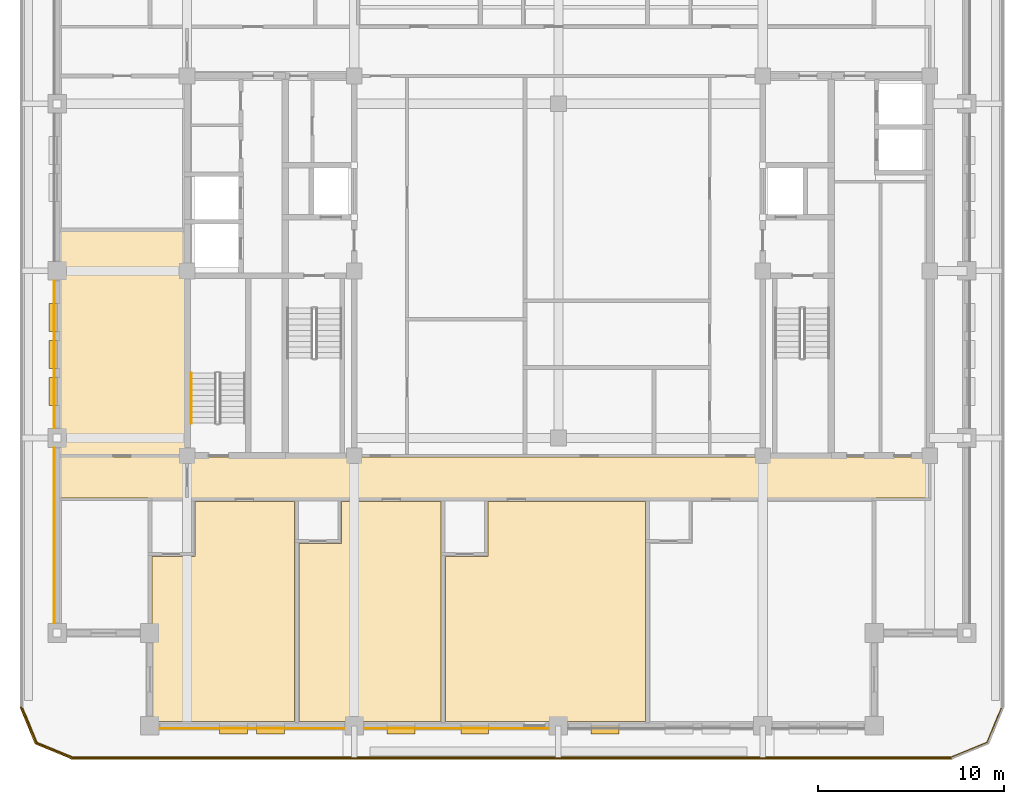
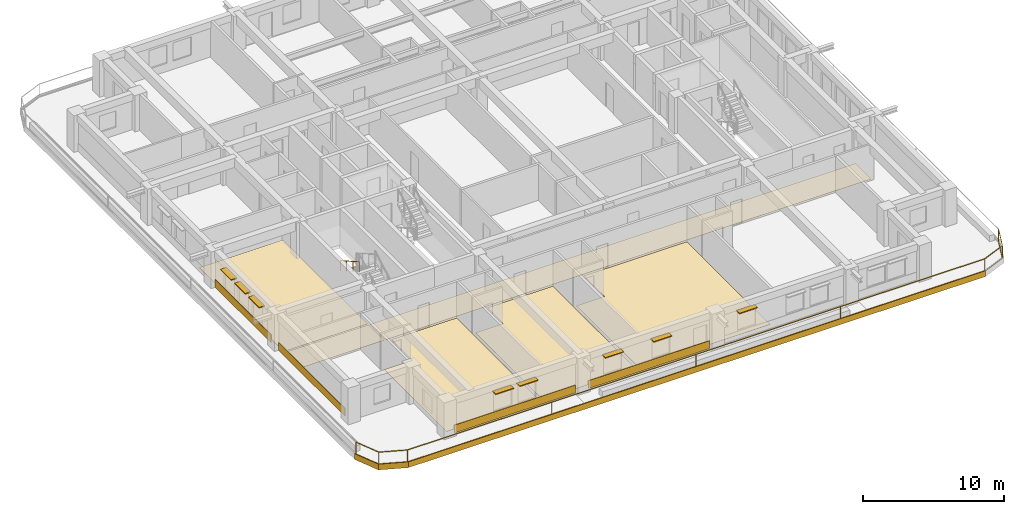
# One storey, part 8 of 14: 13 coverings, 8 shading devices, 2 railings.
"""IFC4 building model written with IfcOpenShell, lengths in metres."""

from ifc_helpers import new_model, si_unit, direction, frame, frame_2d, origin, origin_2d, place, context, subcontext, project, spatial, polyline, rectangle, outline, extrude, material, layer, layer_set, type_object, element, save


model = new_model("IFC4")

# Units and contexts
model_context = context("Model", 3, precision=1e-05, world=origin(), true_north=direction((0.0, 1.0)))
body_context = subcontext(model_context, "Body", "Model", "MODEL_VIEW")
ifc_project = project(units=[si_unit("LENGTHUNIT", "METRE"), si_unit("AREAUNIT", "SQUARE_METRE"), si_unit("VOLUMEUNIT", "CUBIC_METRE"), si_unit("PLANEANGLEUNIT", "RADIAN"), si_unit("MASSUNIT", "GRAM", prefix="KILO")], contexts=[model_context])

# Site, building, storey
site_placement = place(None, origin())
site = spatial("IfcSite", under=ifc_project, at=site_placement, CompositionType="ELEMENT")
building_placement = place(site_placement, origin())
building = spatial("IfcBuilding", under=site, at=building_placement, Name="Zulmaris Gate Convention Tower", CompositionType="ELEMENT")
storey_placement = place(building_placement, frame((0.0, 0.0, 211.85986328125)))
storey = spatial("IfcBuildingStorey", under=building, at=storey_placement, Name="L55", CompositionType="ELEMENT", Elevation=211.85986328125)

# Coverings
ifc_material_1 = material(Name="Precast concrete C40/50", Category="concrete")
ifc_layer_1 = layer(ifc_material_1, 0.0400390625, Name="Precast concrete C40/50")
ifc_layer_set_1 = layer_set([ifc_layer_1], Name="Precast concrete C40/50")
covering_type_1 = type_object("IfcCoveringType", Name="CLAD-SPANDREL-PRECAST", PredefinedType="CLADDING", material=ifc_layer_set_1)
for number, where, z_axis, x_axis, name in (
    (1, (-21.469970703125, -24.64990234375, 0.0), (0.0, 0.0, 1.0), (1.0, 0.0, 0.0), "CLD-L55-S-0_0"),
    (2, (-10.469970703125, -24.64990234375, 0.0), (0.0, 0.0, 1.0), (1.0, 0.0, 0.0), "CLD-L55-S-1_0"),
):
    element("IfcCovering", number, at=place(storey_placement, frame(where, z_axis=z_axis, x_axis=x_axis)), inside=storey, type_object=covering_type_1, Name=name, PredefinedType="CLADDING", context=body_context, shape_type="SweptSolid", body=[
        extrude(rectangle(XDim=9.93994140625, YDim=0.0400390625, at=frame_2d((4.969970703125, 0.0))), origin(), (0.0, 0.0, 1.0), 0.679931640625),
    ])
covering_1_placement = place(storey_placement, frame((-27.14990234375, -9.530029296875, 0.0), z_axis=(0.0, 0.0, 1.0), x_axis=(0.0, -1.0, 0.0)))
element("IfcCovering", 3, at=covering_1_placement, inside=storey, type_object=covering_type_1, Name="CLD-L55-W-0_0", PredefinedType="CLADDING", context=body_context, shape_type="SweptSolid", body=[
    extrude(rectangle(XDim=9.43994140625, YDim=0.0400390625, at=frame_2d((4.719970703125, 0.0))), origin(), (0.0, 0.0, 1.0), 0.679931640625),
])
covering_2_placement = place(storey_placement, frame((-27.14990234375, -0.530029296875, 0.0), z_axis=(0.0, 0.0, 1.0), x_axis=(0.0, -1.0, 0.0)))
element("IfcCovering", 4, at=covering_2_placement, inside=storey, type_object=covering_type_1, Name="CLD-L55-W-1_0", PredefinedType="CLADDING", context=body_context, shape_type="SweptSolid", body=[
    extrude(rectangle(XDim=7.93994140625, YDim=0.0400390625, at=frame_2d((3.969970703125, 0.0))), origin(), (0.0, 0.0, 1.0), 0.679931640625),
])
ifc_material_2 = material(Name="White Glazed Architectural Precast Concrete C40/50", Category="concrete")
ifc_layer_2 = layer(ifc_material_2, 0.080078125, Name="White Glazed Architectural Precast Concrete C40/50")
ifc_layer_set_2 = layer_set([ifc_layer_2], Name="White Glazed Architectural Precast Concrete C40/50")
covering_type_2 = type_object("IfcCoveringType", Name="CLAD-TRAY-FASCIA", PredefinedType="CLADDING", material=ifc_layer_set_2)
covering_3_placement = place(storey_placement, frame((-28.962890625, -23.484619140625, -0.364990234375), z_axis=(0.0, 0.0, 1.0), x_axis=(0.382656984709, -0.923890487046, 0.0)))
element("IfcCovering", 5, at=covering_3_placement, inside=storey, type_object=covering_type_2, Name="FSC-L55-TR-00", PredefinedType="CLADDING", context=body_context, shape_type="SweptSolid", body=[
    extrude(rectangle(XDim=2.14306640625, YDim=0.080078125, at=frame_2d((1.071533203125, 0.0))), origin(), (0.0, 0.0, 1.0), 0.5),
])
covering_4_placement = place(storey_placement, frame((-28.16455078125, -25.44287109375, -0.364990234375), z_axis=(0.0, 0.0, 1.0), x_axis=(0.923873803533, -0.382697263049, 0.0)))
element("IfcCovering", 6, at=covering_4_placement, inside=storey, type_object=covering_type_2, Name="FSC-L55-TR-01", PredefinedType="CLADDING", context=body_context, shape_type="SweptSolid", body=[
    extrude(rectangle(XDim=2.142822265625, YDim=0.080078125, at=frame_2d((1.0712890625, 0.0))), origin(), (0.0, 0.0, 1.0), 0.5),
])
covering_5_placement = place(storey_placement, frame((-26.199951171875, -26.260009765625, -0.364990234375), z_axis=(0.0, 0.0, 1.0), x_axis=(1.0, 0.0, 0.0)))
element("IfcCovering", 7, at=covering_5_placement, inside=storey, type_object=covering_type_2, Name="FSC-L55-TR-02", PredefinedType="CLADDING", context=body_context, shape_type="SweptSolid", body=[
    extrude(rectangle(XDim=47.39990234375, YDim=0.080078125, at=frame_2d((23.699951171875, 0.0))), origin(), (0.0, 0.0, 1.0), 0.5),
])
ifc_material_3 = material(Name="Woven Acoustic Wool Carpet Tile")
ifc_layer_3 = layer(ifc_material_3, 0.02001953125, Name="Woven Acoustic Wool Carpet Tile")
ifc_layer_set_3 = layer_set([ifc_layer_3], Name="Woven Acoustic Wool Carpet Tile")
covering_type_3 = type_object("IfcCoveringType", Name="FLR-CARPET-12", PredefinedType="FLOORING", material=ifc_layer_set_3)
covering_6_placement = place(storey_placement, origin())
element("IfcCovering", 8, at=covering_6_placement, inside=storey, type_object=covering_type_3, Name="FLR-L55-R29", PredefinedType="FLOORING", context=body_context, shape_type="SweptSolid", body=[
    extrude(outline(polyline([(-19.93994140625, -12.239990234375), (19.93994140625, -12.239990234375), (19.93994140625, -10.010009765625), (-19.93994140625, -10.010009765625), (-19.93994140625, -12.239990234375)])), origin(), (0.0, 0.0, 1.0), 0.02001953125),
])
covering_7_placement = place(storey_placement, origin())
element("IfcCovering", 9, at=covering_7_placement, inside=storey, type_object=covering_type_3, Name="FLR-L55-R54", PredefinedType="FLOORING", context=body_context, shape_type="SweptSolid", body=[
    extrude(outline(polyline([(-26.93994140625, -12.239990234375), (-20.06005859375, -12.239990234375), (-20.06005859375, -10.010009765625), (-26.93994140625, -10.010009765625), (-26.93994140625, -12.239990234375)])), origin(), (0.0, 0.0, 1.0), 0.02001953125),
])
covering_8_placement = place(storey_placement, origin())
element("IfcCovering", 10, at=covering_8_placement, inside=storey, type_object=covering_type_3, Name="FLR-L55-R56", PredefinedType="FLOORING", context=body_context, shape_type="SweptSolid", body=[
    extrude(outline(polyline([(-26.93994140625, -9.889892578125), (-20.06005859375, -9.889892578125), (-20.06005859375, 2.139892578125), (-26.93994140625, 2.139892578125), (-26.93994140625, -9.889892578125)])), origin(), (0.0, 0.0, 1.0), 0.02001953125),
])
ifc_material_4 = material(Name="Engineered Teak Parquet Flooring")
ifc_layer_4 = layer(ifc_material_4, 0.02001953125, Name="Engineered Teak Parquet Flooring")
ifc_layer_set_4 = layer_set([ifc_layer_4], Name="Engineered Teak Parquet Flooring")
covering_type_4 = type_object("IfcCoveringType", Name="FLR-TIMBER-18", PredefinedType="FLOORING", material=ifc_layer_set_4)
covering_9_placement = place(storey_placement, origin())
element("IfcCovering", 11, at=covering_9_placement, inside=storey, type_object=covering_type_4, Name="FLR-L55-R40", PredefinedType="FLOORING", context=body_context, shape_type="SweptSolid", body=[
    extrude(outline(polyline([(-21.8798828125, -24.260009765625), (-14.219970703125, -24.260009765625), (-14.219970703125, -12.419921875), (-19.580078125, -12.419921875), (-19.580078125, -15.3701171875), (-21.8798828125, -15.3701171875), (-21.8798828125, -24.260009765625)])), origin(), (0.0, 0.0, 1.0), 0.02001953125),
])
covering_10_placement = place(storey_placement, origin())
element("IfcCovering", 12, at=covering_10_placement, inside=storey, type_object=covering_type_4, Name="FLR-L55-R42", PredefinedType="FLOORING", context=body_context, shape_type="SweptSolid", body=[
    extrude(outline(polyline([(-13.97998046875, -24.260009765625), (-6.320068359375, -24.260009765625), (-6.320068359375, -12.419921875), (-11.679931640625, -12.419921875), (-11.679931640625, -14.669921875), (-13.97998046875, -14.669921875), (-13.97998046875, -24.260009765625)])), origin(), (0.0, 0.0, 1.0), 0.02001953125),
])
covering_11_placement = place(storey_placement, origin())
element("IfcCovering", 13, at=covering_11_placement, inside=storey, type_object=covering_type_4, Name="FLR-L55-R44", PredefinedType="FLOORING", context=body_context, shape_type="SweptSolid", body=[
    extrude(outline(polyline([(-6.080078125, -24.260009765625), (4.679931640625, -24.260009765625), (4.679931640625, -12.419921875), (-3.780029296875, -12.419921875), (-3.780029296875, -15.3701171875), (-6.080078125, -15.3701171875), (-6.080078125, -24.260009765625)])), origin(), (0.0, 0.0, 1.0), 0.02001953125),
])

# Railings
ifc_material_5 = material(Name="Laminated Glass and Stainless Steel", Category="steel")
railing_type_1 = type_object("IfcRailingType", Name="RL-BALC-1150", PredefinedType="BALUSTRADE", material=ifc_material_5)
railing_1_placement = place(storey_placement, frame((-28.8798828125, -23.5, -0.02490234375)))
element("IfcRailing", 14, at=railing_1_placement, inside=storey, type_object=railing_type_1, Name="RL-L55-BALC-S", PredefinedType="BALUSTRADE", context=body_context, shape_type="SweptSolid", body=[
    extrude(rectangle(XDim=0.048095703125, YDim=0.048095703125, at=origin_2d()), frame((0.0, 0.0, 1.1259765625), z_axis=(0.382670664694, -0.92388482095, 0.0), x_axis=(0.92388482095, 0.382670664694, 0.0)), (0.0, 0.0, 1.0), 2.051025390625),
    extrude(rectangle(XDim=0.048095703125, YDim=0.048095703125, at=origin_2d()), frame((0.0, 0.0, 0.02392578125), z_axis=(0.382670664694, -0.92388482095, 0.0), x_axis=(0.92388482095, 0.382670664694, 0.0)), (0.0, 0.0, 1.0), 2.051025390625),
    extrude(rectangle(XDim=0.048095703125, YDim=0.048095703125, at=origin_2d()), frame((0.784912109375, -1.89501953125, 1.1259765625), z_axis=(0.92388482095, -0.382670664694, 0.0), x_axis=(0.382670664694, 0.92388482095, 0.0)), (0.0, 0.0, 1.0), 2.051025390625),
    extrude(rectangle(XDim=0.048095703125, YDim=0.048095703125, at=origin_2d()), frame((0.784912109375, -1.89501953125, 0.02392578125), z_axis=(0.92388482095, -0.382670664694, 0.0), x_axis=(0.382670664694, 0.92388482095, 0.0)), (0.0, 0.0, 1.0), 2.051025390625),
    extrude(rectangle(XDim=0.048095703125, YDim=0.048095703125, at=origin_2d()), frame((2.679931640625, -2.679931640625, 1.1259765625), z_axis=(1.0, 0.0, 0.0), x_axis=(0.0, 1.0, 0.0)), (0.0, 0.0, 1.0), 47.39990234375),
    extrude(rectangle(XDim=0.048095703125, YDim=0.048095703125, at=origin_2d()), frame((2.679931640625, -2.679931640625, 0.02392578125), z_axis=(1.0, 0.0, 0.0), x_axis=(0.0, 1.0, 0.0)), (0.0, 0.0, 1.0), 47.39990234375),
    extrude(rectangle(XDim=0.048095703125, YDim=0.048095703125, at=origin_2d()), frame((50.079833984375, -2.679931640625, 1.1259765625), z_axis=(0.92388482095, 0.382670664694, 0.0), x_axis=(-0.382670664694, 0.92388482095, 0.0)), (0.0, 0.0, 1.0), 2.051025390625),
    extrude(rectangle(XDim=0.048095703125, YDim=0.048095703125, at=origin_2d()), frame((50.079833984375, -2.679931640625, 0.02392578125), z_axis=(0.92388482095, 0.382670664694, 0.0), x_axis=(-0.382670664694, 0.92388482095, 0.0)), (0.0, 0.0, 1.0), 2.051025390625),
    extrude(rectangle(XDim=0.048095703125, YDim=0.048095703125, at=origin_2d()), frame((51.974853515625, -1.89501953125, 1.1259765625), z_axis=(0.382670664694, 0.92388482095, 0.0), x_axis=(-0.92388482095, 0.382670664694, 0.0)), (0.0, 0.0, 1.0), 2.051025390625),
    extrude(rectangle(XDim=0.048095703125, YDim=0.048095703125, at=origin_2d()), frame((51.974853515625, -1.89501953125, 0.02392578125), z_axis=(0.382670664694, 0.92388482095, 0.0), x_axis=(-0.92388482095, 0.382670664694, 0.0)), (0.0, 0.0, 1.0), 2.051025390625),
    extrude(rectangle(XDim=0.0419921875, YDim=0.0419921875, at=origin_2d()), origin(), (0.0, 0.0, 1.0), 1.101806640625),
    extrude(rectangle(XDim=0.0419921875, YDim=0.0419921875, at=origin_2d()), frame((0.784912109375, -1.89501953125, 0.0)), (0.0, 0.0, 1.0), 1.101806640625),
    extrude(rectangle(XDim=0.0419921875, YDim=0.0419921875, at=origin_2d()), frame((2.679931640625, -2.679931640625, 0.0)), (0.0, 0.0, 1.0), 1.101806640625),
    extrude(rectangle(XDim=0.0419921875, YDim=0.0419921875, at=origin_2d()), frame((14.52978515625, -2.679931640625, 0.0)), (0.0, 0.0, 1.0), 1.101806640625),
    extrude(rectangle(XDim=0.0419921875, YDim=0.0419921875, at=origin_2d()), frame((26.3798828125, -2.679931640625, 0.0)), (0.0, 0.0, 1.0), 1.101806640625),
    extrude(rectangle(XDim=0.0419921875, YDim=0.0419921875, at=origin_2d()), frame((38.22998046875, -2.679931640625, 0.0)), (0.0, 0.0, 1.0), 1.101806640625),
    extrude(rectangle(XDim=0.0419921875, YDim=0.0419921875, at=origin_2d()), frame((50.079833984375, -2.679931640625, 0.0)), (0.0, 0.0, 1.0), 1.101806640625),
    extrude(rectangle(XDim=0.0419921875, YDim=0.0419921875, at=origin_2d()), frame((51.974853515625, -1.89501953125, 0.0)), (0.0, 0.0, 1.0), 1.101806640625),
    extrude(rectangle(XDim=0.0419921875, YDim=0.0419921875, at=origin_2d()), frame((52.759765625, 0.0, 0.0)), (0.0, 0.0, 1.0), 1.101806640625),
])
ifc_material_6 = material(Name="Brushed Stainless Steel", Category="steel")
railing_type_2 = type_object("IfcRailingType", Name="RL-STH-900", PredefinedType="HANDRAIL", material=ifc_material_6)
railing_2_placement = place(storey_placement, frame((-19.77001953125, -5.5, 1.8701171875)))
element("IfcRailing", 15, at=railing_2_placement, inside=storey, type_object=railing_type_2, Name="L55 ST-3 stair handrail 2", PredefinedType="HANDRAIL", context=body_context, shape_type="SweptSolid", body=[
    extrude(rectangle(XDim=0.048095703125, YDim=0.048095703125, at=origin_2d()), frame((0.0, 0.0, 0.8759765625), z_axis=(0.0, -0.870014312096, 0.49302646658), x_axis=(1.0, 0.0, 0.0)), (0.0, 0.0, 1.0), 3.103271484375),
    extrude(rectangle(XDim=0.0419921875, YDim=0.0419921875, at=origin_2d()), origin(), (0.0, 0.0, 1.0), 0.851806640625),
    extrude(rectangle(XDim=0.0419921875, YDim=0.0419921875, at=origin_2d()), frame((0.0, -0.89990234375, 0.510009765625)), (0.0, 0.0, 1.0), 0.851806640625),
    extrude(rectangle(XDim=0.0419921875, YDim=0.0419921875, at=origin_2d()), frame((0.0, -1.800048828125, 1.02001953125)), (0.0, 0.0, 1.0), 0.851806640625),
    extrude(rectangle(XDim=0.0419921875, YDim=0.0419921875, at=origin_2d()), frame((0.0, -2.699951171875, 1.530029296875)), (0.0, 0.0, 1.0), 0.851806640625),
])

# Shading devices
ifc_material_7 = material(Name="Glazed Ceramic Terracotta", Category="masonry")
ifc_layer_5 = layer(ifc_material_7, 0.070068359375, Name="Glazed Ceramic Terracotta")
ifc_layer_set_5 = layer_set([ifc_layer_5], Name="Glazed Ceramic Terracotta")
shading_device_type = type_object("IfcShadingDeviceType", Name="SHD-SUNSHADE-TC", PredefinedType="AWNING", material=ifc_layer_set_5)
for number, where, z_axis, x_axis, name in (
    (16, (-18.243896484375, -24.719970703125, 2.35009765625), (0.0, 0.0, 1.0), (1.0, 0.0, 0.0), "SHD-EW-L55-S-0_0-2"),
    (17, (-16.256103515625, -24.719970703125, 2.35009765625), (0.0, 0.0, 1.0), (1.0, 0.0, 0.0), "SHD-EW-L55-S-0_0-3"),
    (18, (-9.23193359375, -24.719970703125, 2.35009765625), (0.0, 0.0, 1.0), (1.0, 0.0, 0.0), "SHD-EW-L55-S-1_0-1"),
    (19, (-5.256103515625, -24.719970703125, 2.35009765625), (0.0, 0.0, 1.0), (1.0, 0.0, 0.0), "SHD-EW-L55-S-1_0-3"),
    (20, (1.76806640625, -24.719970703125, 2.35009765625), (0.0, 0.0, 1.0), (1.0, 0.0, 0.0), "SHD-EW-L55-S-2_0-1"),
    (21, (-27.219970703125, -1.764892578125, 2.35009765625), (0.0, 0.0, 1.0), (0.0, -1.0, 0.0), "SHD-EW-L55-W-1_0-1"),
    (22, (-27.219970703125, -3.75, 2.35009765625), (0.0, 0.0, 1.0), (0.0, -1.0, 0.0), "SHD-EW-L55-W-1_0-2"),
    (23, (-27.219970703125, -5.735107421875, 2.35009765625), (0.0, 0.0, 1.0), (0.0, -1.0, 0.0), "SHD-EW-L55-W-1_0-3"),
):
    element("IfcShadingDevice", number, at=place(storey_placement, frame(where, z_axis=z_axis, x_axis=x_axis)), inside=storey, type_object=shading_device_type, Name=name, PredefinedType="AWNING", context=body_context, shape_type="SweptSolid", body=[
        extrude(rectangle(XDim=1.5, YDim=0.43994140625, at=frame_2d((0.75, 0.0))), origin(), (0.0, 0.0, 1.0), 0.06982421875),
    ])

save(model, "model.ifc")
